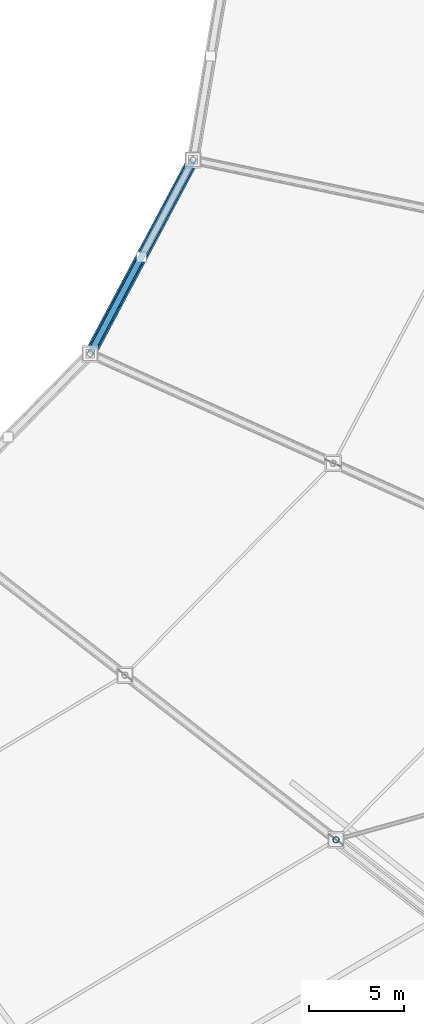
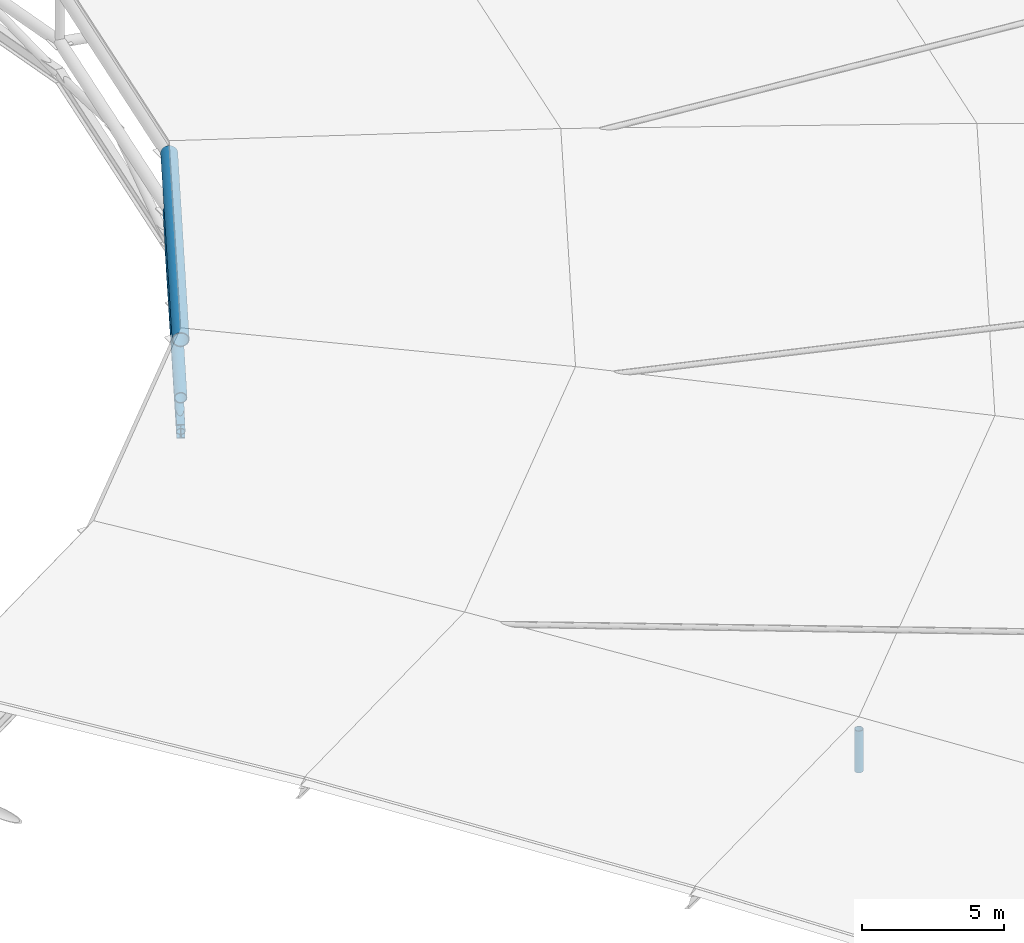
# One storey, part 42 of 115: 4 members, 1 beam.
"""IFC4 building model written with IfcOpenShell, lengths in metres."""

from ifc_helpers import new_model, si_unit, direction, frame, origin, origin_2d, place, context, subcontext, project, spatial, hollow_circle, i_section, extrude, material, material_profile, profile_set, type_object, element, save


model = new_model("IFC4")

# Units and contexts
model_context = context("Model", 3, precision=1e-05, world=origin(), true_north=direction((0.0, 1.0)))
body_context = subcontext(model_context, "Body", "Model", "MODEL_VIEW")
ifc_project = project(units=[si_unit("LENGTHUNIT", "METRE"), si_unit("AREAUNIT", "SQUARE_METRE"), si_unit("VOLUMEUNIT", "CUBIC_METRE"), si_unit("PLANEANGLEUNIT", "RADIAN"), si_unit("MASSUNIT", "GRAM", prefix="KILO")], contexts=[model_context])

# Site, building, storey
site_placement = place(None, origin())
site = spatial("IfcSite", under=ifc_project, at=site_placement, CompositionType="ELEMENT")
building_placement = place(site_placement, origin())
building = spatial("IfcBuilding", under=site, at=building_placement, Name="Zlatoyarsky Gate Stadium", CompositionType="ELEMENT")
storey_placement = place(building_placement, frame((0.0, 0.0, 31.800048828125)))
storey = spatial("IfcBuildingStorey", under=building, at=storey_placement, Name="RF", CompositionType="ELEMENT", Elevation=31.800048828125)

# Member
ifc_material = material(Name="Steel S355", Category="steel")
ifc_material_profile_1 = material_profile(ifc_material, hollow_circle(Radius=0.228515625, WallThickness=0.02490234375, at=origin_2d()), Name="CHS 457X25")
ifc_profile_set_1 = profile_set([ifc_material_profile_1], Name="Steel S355")
member_type_1 = type_object("IfcMemberType", Name="STEEL ARCH BOTTOM CHORD CHS 457X25", PredefinedType="CHORD", material=ifc_profile_set_1)
member_1_placement = place(storey_placement, frame((157.7783203125, 58.9326171875, 6.449951171875), z_axis=(0.468977321353, 0.883210208306, 0.0), x_axis=(-0.883210208306, 0.468977321353, 0.0)))
element("IfcMember", 1, at=member_1_placement, inside=storey, type_object=member_type_1, Name="Inner tension ring bottom chord 22", PredefinedType="CHORD", context=body_context, shape_type="SweptSolid", body=[
    extrude(hollow_circle(Radius=0.228515625, WallThickness=0.02490234375, at=origin_2d()), origin(), (0.0, 0.0, 1.0), 11.505859375),
])

# Beam
ifc_material_profile_2 = material_profile(ifc_material, i_section(OverallWidth=0.300048828125, OverallDepth=0.60009765625, WebThickness=0.015380859375, FlangeThickness=0.030029296875, FilletRadius=0.027099609375, at=origin_2d()), Name="HEB 600")
ifc_profile_set_2 = profile_set([ifc_material_profile_2], Name="Steel S355")
beam_type = type_object("IfcBeamType", Name="STEEL INNER CATWALK RING BEAM HEB 600", PredefinedType="USERDEFINED", material=ifc_profile_set_2)
beam_placement = place(storey_placement, frame((157.7783203125, 58.9326171875, 5.0), z_axis=(0.468977321353, 0.883210208306, 0.0), x_axis=(-0.883210208306, 0.468977321353, 0.0)))
element("IfcBeam", 2, at=beam_placement, inside=storey, type_object=beam_type, Name="Inner lighting catwalk ring beam 22", ObjectType="RING BEAM", PredefinedType="USERDEFINED", context=body_context, shape_type="SweptSolid", body=[
    extrude(i_section(OverallWidth=0.300048828125, OverallDepth=0.60009765625, WebThickness=0.015380859375, FlangeThickness=0.030029296875, FilletRadius=0.027099609375, at=origin_2d()), origin(), (0.0, 0.0, 1.0), 11.505859375),
])

# Members
ifc_material_profile_3 = material_profile(ifc_material, hollow_circle(Radius=0.304931640625, WallThickness=0.030029296875, at=origin_2d()), Name="CHS 610X30")
ifc_profile_set_3 = profile_set([ifc_material_profile_3], Name="Steel S355")
member_type_2 = type_object("IfcMemberType", Name="STEEL TENSION RING CHORD CHS 610X30", PredefinedType="CHORD", material=ifc_profile_set_3)
member_2_placement = place(storey_placement, frame((157.7783203125, 58.9326171875, 8.949951171875), z_axis=(0.468977321353, 0.883210208306, 0.0), x_axis=(-0.883210208306, 0.468977321353, 0.0)))
element("IfcMember", 3, at=member_2_placement, inside=storey, type_object=member_type_2, Name="Inner tension ring top chord 22", PredefinedType="CHORD", context=body_context, shape_type="SweptSolid", body=[
    extrude(hollow_circle(Radius=0.304931640625, WallThickness=0.030029296875, at=origin_2d()), origin(), (0.0, 0.0, 1.0), 11.505859375),
])
ifc_material_profile_4 = material_profile(ifc_material, hollow_circle(Radius=0.161865234375, WallThickness=0.01611328125, at=origin_2d()), Name="CHS 323.9X16")
ifc_profile_set_4 = profile_set([ifc_material_profile_4], Name="Steel S355")
member_type_3 = type_object("IfcMemberType", Name="STEEL TRUSS WEB STRUT CHS 323.9X16", PredefinedType="STRUT", material=ifc_profile_set_4)
member_3_placement = place(storey_placement, frame((170.66796875, 33.455322265625, 1.349853515625), z_axis=(0.0, 0.0, 1.0), x_axis=(1.0, 0.0, 0.0)))
element("IfcMember", 4, at=member_3_placement, inside=storey, type_object=member_type_3, Name="Radial truss R22 web strut 1", PredefinedType="STRUT", context=body_context, shape_type="SweptSolid", body=[
    extrude(hollow_circle(Radius=0.161865234375, WallThickness=0.01611328125, at=origin_2d()), origin(), (0.0, 0.0, 1.0), 1.800048828125),
])
member_4_placement = place(storey_placement, frame((157.7783203125, 58.9326171875, 5.0), z_axis=(0.454756078435, 0.856427789738, 0.244393842171), x_axis=(-0.883210208306, 0.468977321353, 0.0)))
element("IfcMember", 5, at=member_4_placement, inside=storey, type_object=member_type_3, Name="Catwalk V-hanger strut 22A", PredefinedType="STRUT", context=body_context, shape_type="SweptSolid", body=[
    extrude(hollow_circle(Radius=0.161865234375, WallThickness=0.01611328125, at=origin_2d()), origin(), (0.0, 0.0, 1.0), 5.932861328125),
])

save(model, "model.ifc")
